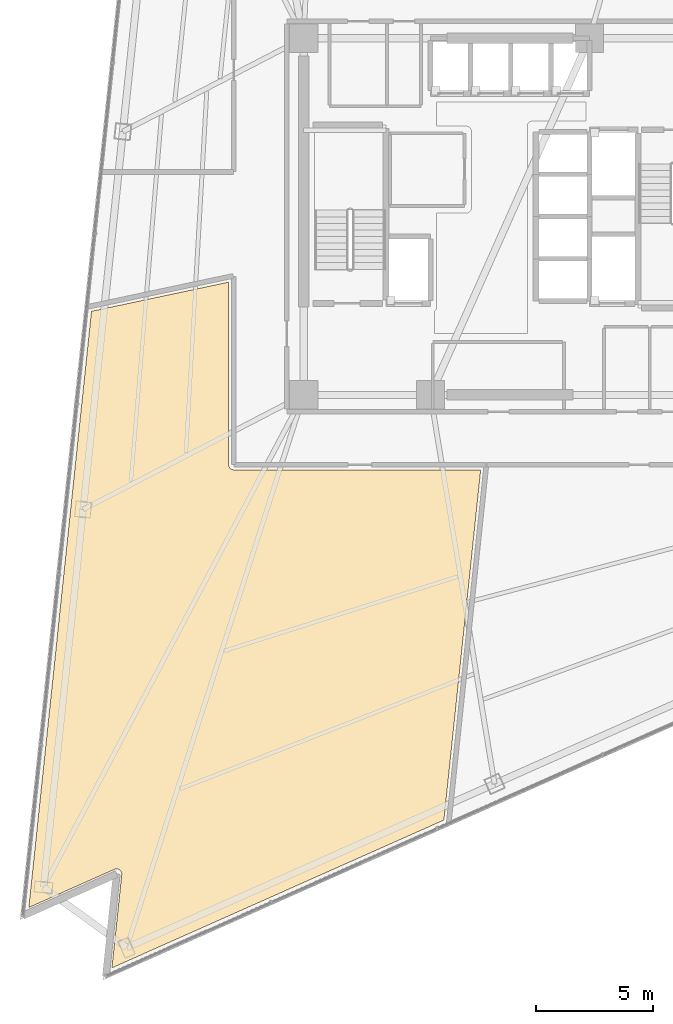
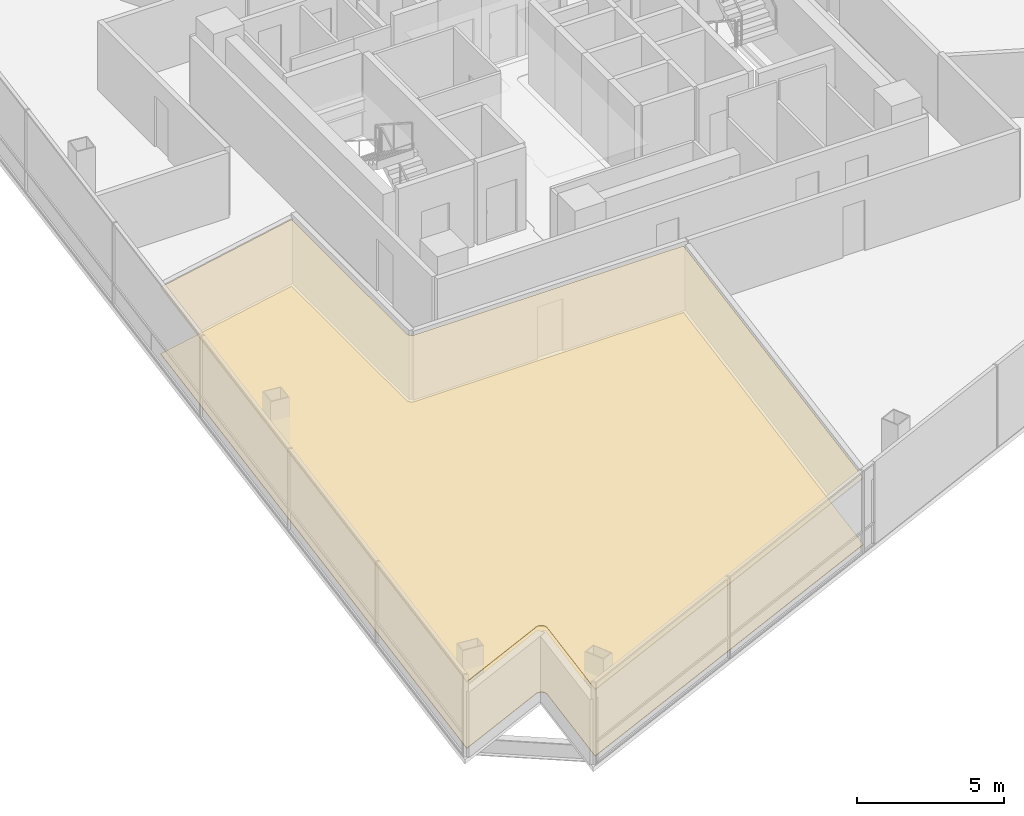
# One storey, part 14 of 16: 2 coverings.
"""IFC4 building model written with IfcOpenShell, lengths in metres."""

from ifc_helpers import new_model, si_unit, direction, frame, origin, place, context, subcontext, project, spatial, polyline, outline, extrude, material, layer, layer_set, type_object, element, save


model = new_model("IFC4")

# Units and contexts
model_context = context("Model", 3, precision=1e-05, world=origin(), true_north=direction((0.0, 1.0)))
body_context = subcontext(model_context, "Body", "Model", "MODEL_VIEW")
ifc_project = project(units=[si_unit("LENGTHUNIT", "METRE"), si_unit("AREAUNIT", "SQUARE_METRE"), si_unit("VOLUMEUNIT", "CUBIC_METRE"), si_unit("PLANEANGLEUNIT", "RADIAN"), si_unit("MASSUNIT", "GRAM", prefix="KILO")], contexts=[model_context])

# Site, building, storey
site_placement = place(None, origin())
site = spatial("IfcSite", under=ifc_project, at=site_placement, CompositionType="ELEMENT")
building_placement = place(site_placement, origin())
building = spatial("IfcBuilding", under=site, at=building_placement, Name="Tharavind Bronze Gate", CompositionType="ELEMENT")
storey_placement = place(building_placement, frame((0.0, 0.0, 130.449951171875)))
storey = spatial("IfcBuildingStorey", under=building, at=storey_placement, Name="L33", CompositionType="ELEMENT", Elevation=130.449951171875)

# Coverings
ifc_material_1 = material(Name="Engineered Oak & Carpet Tile", Category="wood")
ifc_layer_1 = layer(ifc_material_1, 0.02490234375)
ifc_layer_set_1 = layer_set([ifc_layer_1], Name="Engineered Oak & Carpet Tile")
covering_type_1 = type_object("IfcCoveringType", Name="ENGINEERED TIMBER FLOORING", PredefinedType="FLOORING", material=ifc_layer_set_1)
covering_1_placement = place(storey_placement, origin())
element("IfcCovering", 1, at=covering_1_placement, inside=storey, type_object=covering_type_1, Name="L33-RM-03 floor finish", PredefinedType="FLOORING", context=body_context, shape_type="SweptSolid", body=[
    extrude(outline(polyline([(-16.967529296875, -27.8291015625), (-16.957275390625, -27.824951171875), (-16.956787109375, -27.82470703125), (-16.93603515625, -27.81787109375), (-16.91455078125, -27.81298828125), (-16.892822265625, -27.810302734375), (-16.870849609375, -27.809814453125), (-16.84912109375, -27.811767578125), (-16.827392578125, -27.815673828125), (-16.806396484375, -27.82177734375), (-16.785888671875, -27.829833984375), (-16.7666015625, -27.83984375), (-16.748046875, -27.851806640625), (-16.73095703125, -27.865478515625), (-16.71533203125, -27.881103515625), (-16.701416015625, -27.89794921875), (-16.689208984375, -27.916015625), (-16.6787109375, -27.935302734375), (-16.67041015625, -27.95556640625), (-16.6640625, -27.9765625), (-16.65966796875, -27.998046875), (-16.65771484375, -28.02001953125), (-16.65771484375, -28.0419921875), (-16.65771484375, -28.04248046875), (-16.65869140625, -28.053466796875), (-17.07666015625, -32.02978515625), (-2.925537109375, -25.7294921875), (-1.356201171875, -10.800048828125), (-11.87939453125, -10.800048828125), (-11.89013671875, -10.7998046875), (-11.890869140625, -10.7998046875), (-11.912353515625, -10.797607421875), (-11.933349609375, -10.79345703125), (-11.9541015625, -10.787109375), (-11.97412109375, -10.77880859375), (-11.9931640625, -10.768798828125), (-12.010986328125, -10.756591796875), (-12.027587890625, -10.742919921875), (-12.04296875, -10.727783203125), (-12.056640625, -10.7109375), (-12.068603515625, -10.693115234375), (-12.078857421875, -10.674072265625), (-12.087158203125, -10.654052734375), (-12.093505859375, -10.63330078125), (-12.09765625, -10.6123046875), (-12.099609375, -10.5908203125), (-12.099609375, -10.590087890625), (-12.10009765625, -10.579345703125), (-12.10009765625, -2.796875), (-17.948974609375, -4.0400390625), (-20.6201171875, -29.455322265625), (-16.967529296875, -27.8291015625)])), origin(), (0.0, 0.0, 1.0), 0.025146484375),
])
ifc_material_2 = material(Name="Acoustic Gypsum Board", Category="gypsum")
ifc_layer_2 = layer(ifc_material_2, 0.030029296875)
ifc_layer_set_2 = layer_set([ifc_layer_2], Name="Acoustic Gypsum Board")
covering_type_2 = type_object("IfcCoveringType", Name="GYPSUM SUSPENDED CEILING", PredefinedType="CEILING", material=ifc_layer_set_2)
covering_2_placement = place(storey_placement, frame((0.0, 0.0, 2.75)))
element("IfcCovering", 2, at=covering_2_placement, inside=storey, type_object=covering_type_2, Name="L33-RM-03 suspended ceiling", PredefinedType="CEILING", context=body_context, shape_type="SweptSolid", body=[
    extrude(outline(polyline([(-16.967529296875, -27.8291015625), (-16.957275390625, -27.824951171875), (-16.956787109375, -27.82470703125), (-16.93603515625, -27.81787109375), (-16.91455078125, -27.81298828125), (-16.892822265625, -27.810302734375), (-16.870849609375, -27.809814453125), (-16.84912109375, -27.811767578125), (-16.827392578125, -27.815673828125), (-16.806396484375, -27.82177734375), (-16.785888671875, -27.829833984375), (-16.7666015625, -27.83984375), (-16.748046875, -27.851806640625), (-16.73095703125, -27.865478515625), (-16.71533203125, -27.881103515625), (-16.701416015625, -27.89794921875), (-16.689208984375, -27.916015625), (-16.6787109375, -27.935302734375), (-16.67041015625, -27.95556640625), (-16.6640625, -27.9765625), (-16.65966796875, -27.998046875), (-16.65771484375, -28.02001953125), (-16.65771484375, -28.0419921875), (-16.65771484375, -28.04248046875), (-16.65869140625, -28.053466796875), (-17.07666015625, -32.02978515625), (-2.925537109375, -25.7294921875), (-1.356201171875, -10.800048828125), (-11.87939453125, -10.800048828125), (-11.89013671875, -10.7998046875), (-11.890869140625, -10.7998046875), (-11.912353515625, -10.797607421875), (-11.933349609375, -10.79345703125), (-11.9541015625, -10.787109375), (-11.97412109375, -10.77880859375), (-11.9931640625, -10.768798828125), (-12.010986328125, -10.756591796875), (-12.027587890625, -10.742919921875), (-12.04296875, -10.727783203125), (-12.056640625, -10.7109375), (-12.068603515625, -10.693115234375), (-12.078857421875, -10.674072265625), (-12.087158203125, -10.654052734375), (-12.093505859375, -10.63330078125), (-12.09765625, -10.6123046875), (-12.099609375, -10.5908203125), (-12.099609375, -10.590087890625), (-12.10009765625, -10.579345703125), (-12.10009765625, -2.796875), (-17.948974609375, -4.0400390625), (-20.6201171875, -29.455322265625), (-16.967529296875, -27.8291015625)])), origin(), (0.0, 0.0, 1.0), 0.03515625),
])

save(model, "model.ifc")
